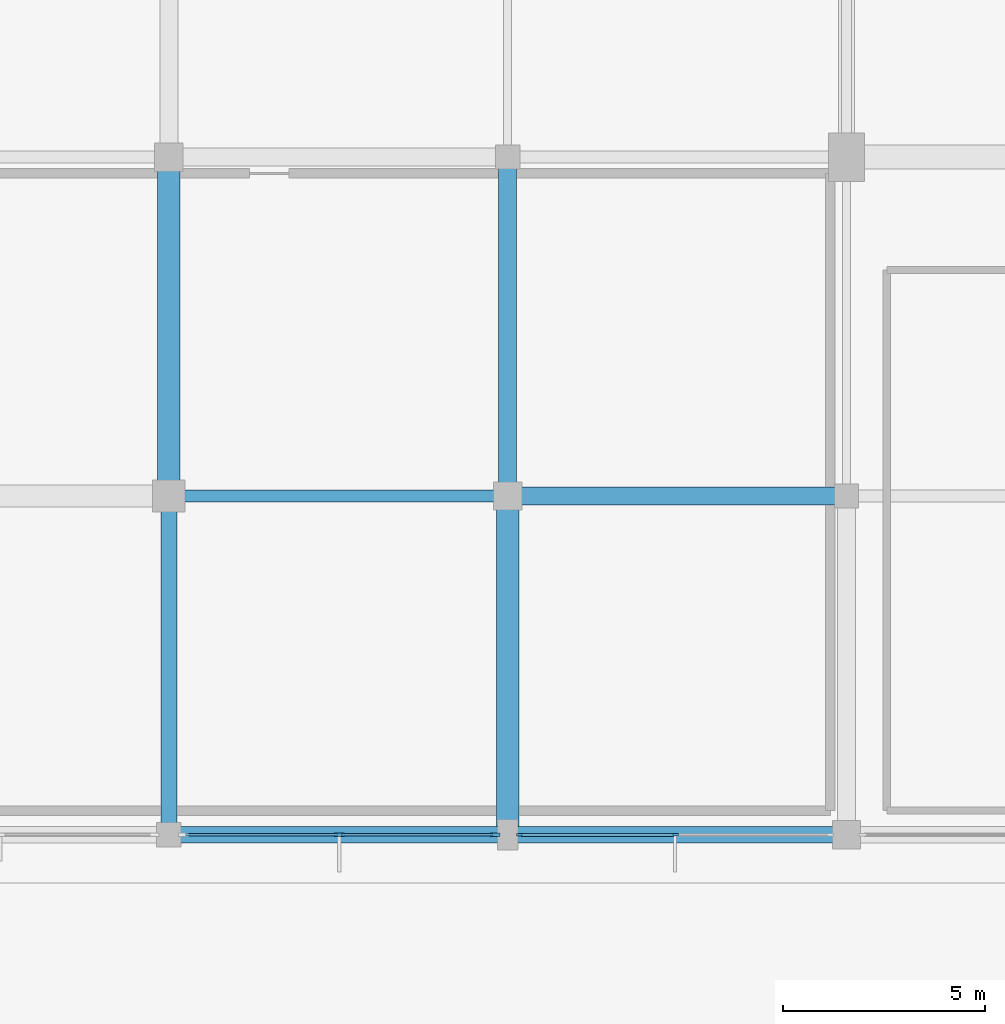
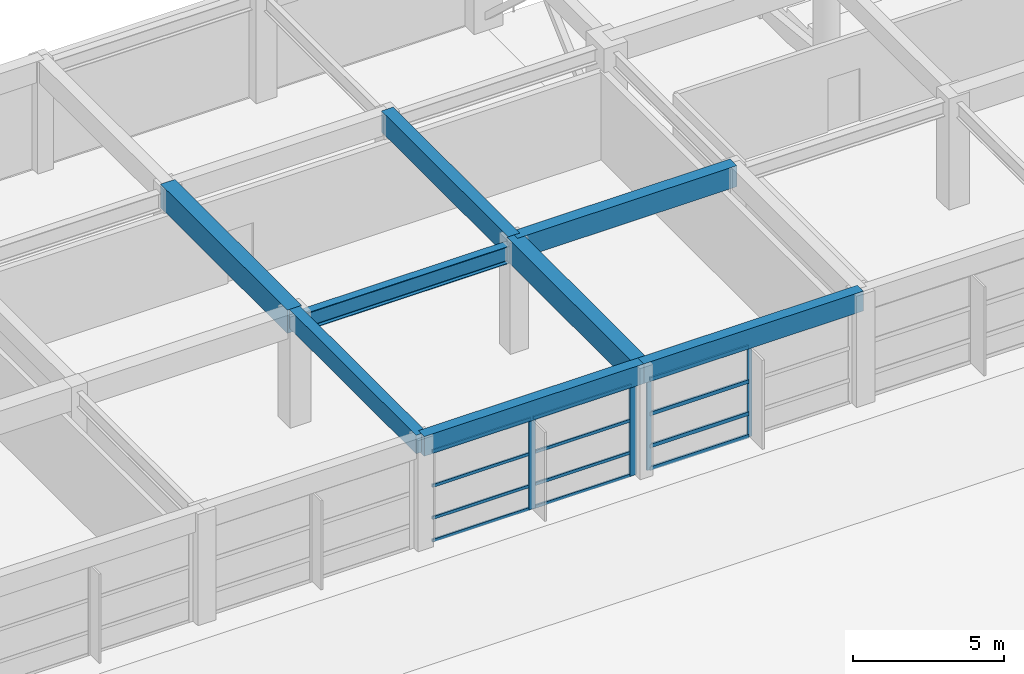
# One storey, part 10 of 60: 16 members, 8 beams, 2 elements without a shape of their own.
"""IFC4 building model written with IfcOpenShell, lengths in metres."""

from ifc_helpers import new_model, si_unit, direction, frame, origin, origin_2d, place, context, subcontext, project, spatial, rectangle, i_section, extrude, material, material_profile, profile_set, type_object, element, aggregate, save


model = new_model("IFC4")

# Units and contexts
model_context = context("Model", 3, precision=1e-05, world=origin(), true_north=direction((0.0, 1.0)))
body_context = subcontext(model_context, "Body", "Model", "MODEL_VIEW")
ifc_project = project(units=[si_unit("LENGTHUNIT", "METRE"), si_unit("AREAUNIT", "SQUARE_METRE"), si_unit("VOLUMEUNIT", "CUBIC_METRE"), si_unit("PLANEANGLEUNIT", "RADIAN"), si_unit("MASSUNIT", "GRAM", prefix="KILO")], contexts=[model_context])

# Site, building, storey
site_placement = place(None, origin())
site = spatial("IfcSite", under=ifc_project, at=site_placement, CompositionType="ELEMENT")
building_placement = place(site_placement, origin())
building = spatial("IfcBuilding", under=site, at=building_placement, Name="Xuanlan Plaza Opera House", CompositionType="ELEMENT")
storey_placement = place(building_placement, frame((0.0, 0.0, 9.89990234375)))
storey = spatial("IfcBuildingStorey", under=building, at=storey_placement, Name="L02", CompositionType="ELEMENT", Elevation=9.89990234375)

# Curtain wall, members
ifc_material_1 = material(Name="Anodised Aluminium 6063-T6 and Low-E Glass", Category="aluminium")
curtain_wall_type_1 = type_object("IfcCurtainWallType", Name="ENV-CW-CW-06", PredefinedType="USERDEFINED", material=ifc_material_1)
curtain_wall_1_placement = place(storey_placement, origin())
curtain_wall_1 = element("IfcCurtainWall", 1, at=curtain_wall_1_placement, inside=storey, type_object=curtain_wall_type_1, Name="Acoustic Glazed Wall L02-007", ObjectType="ACOUSTIC GLAZED WALL", PredefinedType="USERDEFINED")
ifc_material_2 = material(Name="Anodised Aluminium 6063-T6", Category="aluminium")
ifc_material_profile_1 = material_profile(ifc_material_2, rectangle(XDim=0.06494140625, YDim=0.159912109375, at=origin_2d()), Name="ALU-M 65x160")
ifc_profile_set_1 = profile_set([ifc_material_profile_1], Name="Anodised Aluminium 6063-T6")
member_type_1 = type_object("IfcMemberType", Name="ENV-CWM-01", PredefinedType="MULLION", material=ifc_profile_set_1)
member_1_placement = place(storey_placement, frame((59.1025390625, 16.800048828125, 0.0), z_axis=(0.0, 0.0, 1.0), x_axis=(0.0, 1.0, 0.0)))
member_1 = element("IfcMember", 2, at=member_1_placement, type_object=member_type_1, Name="CW-06 mullion 1", PredefinedType="MULLION", context=body_context, shape_type="SweptSolid", body=[
    extrude(rectangle(XDim=0.06494140625, YDim=0.159912109375, at=origin_2d()), origin(), (0.0, 0.0, 1.0), 3.68017578125),
])
member_2_placement = place(storey_placement, frame((62.949951171875, 16.800048828125, 0.0), z_axis=(0.0, 0.0, 1.0), x_axis=(0.0, 1.0, 0.0)))
member_2 = element("IfcMember", 3, at=member_2_placement, type_object=member_type_1, Name="CW-06 mullion 2", PredefinedType="MULLION", context=body_context, shape_type="SweptSolid", body=[
    extrude(rectangle(XDim=0.06494140625, YDim=0.159912109375, at=origin_2d()), origin(), (0.0, 0.0, 1.0), 3.68017578125),
])

curtain_wall_type_2 = type_object("IfcCurtainWallType", Name="ENV-CW-CW-02", PredefinedType="USERDEFINED", material=ifc_material_1)
curtain_wall_2_placement = place(storey_placement, origin())
curtain_wall_2 = element("IfcCurtainWall", 4, at=curtain_wall_2_placement, inside=storey, type_object=curtain_wall_type_2, Name="Unitised Curtain Wall L02-006", ObjectType="UNITISED CURTAIN WALL", PredefinedType="USERDEFINED")
ifc_material_profile_2 = material_profile(ifc_material_2, rectangle(XDim=0.090087890625, YDim=0.25, at=origin_2d()), Name="ALU-M 90x250")
ifc_profile_set_2 = profile_set([ifc_material_profile_2], Name="Anodised Aluminium 6063-T6")
member_type_2 = type_object("IfcMemberType", Name="ENV-CWM-05", PredefinedType="MULLION", material=ifc_profile_set_2)
member_3_placement = place(storey_placement, frame((54.625, 16.800048828125, 0.0), z_axis=(0.0, 0.0, 1.0), x_axis=(0.0, 1.0, 0.0)))
member_3 = element("IfcMember", 5, at=member_3_placement, type_object=member_type_2, Name="CW-02 mullion 2", PredefinedType="MULLION", context=body_context, shape_type="SweptSolid", body=[
    extrude(rectangle(XDim=0.090087890625, YDim=0.25, at=origin_2d()), origin(), (0.0, 0.0, 1.0), 3.68017578125),
])
member_4_placement = place(storey_placement, frame((58.485107421875, 16.800048828125, 0.0), z_axis=(0.0, 0.0, 1.0), x_axis=(0.0, 1.0, 0.0)))
member_4 = element("IfcMember", 6, at=member_4_placement, type_object=member_type_2, Name="CW-02 mullion 3", PredefinedType="MULLION", context=body_context, shape_type="SweptSolid", body=[
    extrude(rectangle(XDim=0.090087890625, YDim=0.25, at=origin_2d()), origin(), (0.0, 0.0, 1.0), 3.68017578125),
])
ifc_material_profile_3 = material_profile(ifc_material_2, rectangle(XDim=0.06494140625, YDim=0.1201171875, at=origin_2d()), Name="ALU-T 65x120")
ifc_profile_set_3 = profile_set([ifc_material_profile_3], Name="Anodised Aluminium 6063-T6")
member_type_3 = type_object("IfcMemberType", Name="ENV-CWT-01", PredefinedType="USERDEFINED", material=ifc_profile_set_3)
member_5_placement = place(storey_placement, frame((50.81005859375, 16.800048828125, 0.03271484375), z_axis=(1.0, 0.0, 0.0), x_axis=(0.0, 1.0, 0.0)))
member_5 = element("IfcMember", 7, at=member_5_placement, type_object=member_type_3, Name="CW-02 transom 1.1", ObjectType="TRANSOM", PredefinedType="USERDEFINED", context=body_context, shape_type="SweptSolid", body=[
    extrude(rectangle(XDim=0.06494140625, YDim=0.1201171875, at=origin_2d()), origin(), (0.0, 0.0, 1.0), 3.77001953125),
])
member_6_placement = place(storey_placement, frame((50.81005859375, 16.800048828125, 0.9501953125), z_axis=(1.0, 0.0, 0.0), x_axis=(0.0, 1.0, 0.0)))
member_6 = element("IfcMember", 8, at=member_6_placement, type_object=member_type_3, Name="CW-02 transom 1.2", ObjectType="TRANSOM", PredefinedType="USERDEFINED", context=body_context, shape_type="SweptSolid", body=[
    extrude(rectangle(XDim=0.06494140625, YDim=0.1201171875, at=origin_2d()), origin(), (0.0, 0.0, 1.0), 3.77001953125),
])
member_7_placement = place(storey_placement, frame((50.81005859375, 16.800048828125, 2.25), z_axis=(1.0, 0.0, 0.0), x_axis=(0.0, 1.0, 0.0)))
member_7 = element("IfcMember", 9, at=member_7_placement, type_object=member_type_3, Name="CW-02 transom 1.3", ObjectType="TRANSOM", PredefinedType="USERDEFINED", context=body_context, shape_type="SweptSolid", body=[
    extrude(rectangle(XDim=0.06494140625, YDim=0.1201171875, at=origin_2d()), origin(), (0.0, 0.0, 1.0), 3.77001953125),
])
member_8_placement = place(storey_placement, frame((50.81005859375, 16.800048828125, 3.647705078125), z_axis=(1.0, 0.0, 0.0), x_axis=(0.0, 1.0, 0.0)))
member_8 = element("IfcMember", 10, at=member_8_placement, type_object=member_type_3, Name="CW-02 transom 1.4", ObjectType="TRANSOM", PredefinedType="USERDEFINED", context=body_context, shape_type="SweptSolid", body=[
    extrude(rectangle(XDim=0.06494140625, YDim=0.1201171875, at=origin_2d()), origin(), (0.0, 0.0, 1.0), 3.77001953125),
])
member_9_placement = place(storey_placement, frame((54.669921875, 16.800048828125, 0.03271484375), z_axis=(1.0, 0.0, 0.0), x_axis=(0.0, 1.0, 0.0)))
member_9 = element("IfcMember", 11, at=member_9_placement, type_object=member_type_3, Name="CW-02 transom 2.1", ObjectType="TRANSOM", PredefinedType="USERDEFINED", context=body_context, shape_type="SweptSolid", body=[
    extrude(rectangle(XDim=0.06494140625, YDim=0.1201171875, at=origin_2d()), origin(), (0.0, 0.0, 1.0), 3.77001953125),
])
member_10_placement = place(storey_placement, frame((54.669921875, 16.800048828125, 0.9501953125), z_axis=(1.0, 0.0, 0.0), x_axis=(0.0, 1.0, 0.0)))
member_10 = element("IfcMember", 12, at=member_10_placement, type_object=member_type_3, Name="CW-02 transom 2.2", ObjectType="TRANSOM", PredefinedType="USERDEFINED", context=body_context, shape_type="SweptSolid", body=[
    extrude(rectangle(XDim=0.06494140625, YDim=0.1201171875, at=origin_2d()), origin(), (0.0, 0.0, 1.0), 3.77001953125),
])
member_11_placement = place(storey_placement, frame((54.669921875, 16.800048828125, 2.25), z_axis=(1.0, 0.0, 0.0), x_axis=(0.0, 1.0, 0.0)))
member_11 = element("IfcMember", 13, at=member_11_placement, type_object=member_type_3, Name="CW-02 transom 2.3", ObjectType="TRANSOM", PredefinedType="USERDEFINED", context=body_context, shape_type="SweptSolid", body=[
    extrude(rectangle(XDim=0.06494140625, YDim=0.1201171875, at=origin_2d()), origin(), (0.0, 0.0, 1.0), 3.77001953125),
])
member_12_placement = place(storey_placement, frame((54.669921875, 16.800048828125, 3.647705078125), z_axis=(1.0, 0.0, 0.0), x_axis=(0.0, 1.0, 0.0)))
member_12 = element("IfcMember", 14, at=member_12_placement, type_object=member_type_3, Name="CW-02 transom 2.4", ObjectType="TRANSOM", PredefinedType="USERDEFINED", context=body_context, shape_type="SweptSolid", body=[
    extrude(rectangle(XDim=0.06494140625, YDim=0.1201171875, at=origin_2d()), origin(), (0.0, 0.0, 1.0), 3.77001953125),
])
aggregate(curtain_wall_2, [member_3, member_4, member_5, member_6, member_7, member_8, member_9, member_10, member_11, member_12])

# Member
ifc_material_profile_4 = material_profile(ifc_material_2, rectangle(XDim=0.074951171875, YDim=0.14990234375, at=origin_2d()), Name="ALU-T 75x150")
ifc_profile_set_4 = profile_set([ifc_material_profile_4], Name="Anodised Aluminium 6063-T6")
member_type_4 = type_object("IfcMemberType", Name="ENV-CWT-03", PredefinedType="USERDEFINED", material=ifc_profile_set_4)
member_13_placement = place(storey_placement, frame((59.135009765625, 16.800048828125, 0.03759765625), z_axis=(1.0, 0.0, 0.0), x_axis=(0.0, 1.0, 0.0)))
member_13 = element("IfcMember", 15, at=member_13_placement, type_object=member_type_4, Name="CW-06 transom 1.1", ObjectType="TRANSOM", PredefinedType="USERDEFINED", context=body_context, shape_type="SweptSolid", body=[
    extrude(rectangle(XDim=0.074951171875, YDim=0.14990234375, at=origin_2d()), origin(), (0.0, 0.0, 1.0), 3.782470703125),
])

member_14_placement = place(storey_placement, frame((59.135009765625, 16.800048828125, 0.9501953125), z_axis=(1.0, 0.0, 0.0), x_axis=(0.0, 1.0, 0.0)))
member_14 = element("IfcMember", 16, at=member_14_placement, type_object=member_type_4, Name="CW-06 transom 1.2", ObjectType="TRANSOM", PredefinedType="USERDEFINED", context=body_context, shape_type="SweptSolid", body=[
    extrude(rectangle(XDim=0.074951171875, YDim=0.14990234375, at=origin_2d()), origin(), (0.0, 0.0, 1.0), 3.782470703125),
])

member_15_placement = place(storey_placement, frame((59.135009765625, 16.800048828125, 2.25), z_axis=(1.0, 0.0, 0.0), x_axis=(0.0, 1.0, 0.0)))
member_15 = element("IfcMember", 17, at=member_15_placement, type_object=member_type_4, Name="CW-06 transom 1.3", ObjectType="TRANSOM", PredefinedType="USERDEFINED", context=body_context, shape_type="SweptSolid", body=[
    extrude(rectangle(XDim=0.074951171875, YDim=0.14990234375, at=origin_2d()), origin(), (0.0, 0.0, 1.0), 3.782470703125),
])

member_16_placement = place(storey_placement, frame((59.135009765625, 16.800048828125, 3.642578125), z_axis=(1.0, 0.0, 0.0), x_axis=(0.0, 1.0, 0.0)))
member_16 = element("IfcMember", 18, at=member_16_placement, type_object=member_type_4, Name="CW-06 transom 1.4", ObjectType="TRANSOM", PredefinedType="USERDEFINED", context=body_context, shape_type="SweptSolid", body=[
    extrude(rectangle(XDim=0.074951171875, YDim=0.14990234375, at=origin_2d()), origin(), (0.0, 0.0, 1.0), 3.782470703125),
])

aggregate(curtain_wall_1, [member_1, member_2, member_13, member_14, member_15, member_16])

# Beams
ifc_material_3 = material(Name="Concrete C50", Category="concrete")
ifc_material_profile_5 = material_profile(ifc_material_3, rectangle(XDim=0.550048828125, YDim=0.949951171875, at=origin_2d()), Name="RC-BM 550x950")
ifc_profile_set_5 = profile_set([ifc_material_profile_5], Name="Concrete C50")
beam_type_1 = type_object("IfcBeamType", Name="STR-BM-B-02", PredefinedType="BEAM", material=ifc_profile_set_5)
beam_1_placement = place(storey_placement, frame((50.39990234375, 25.199951171875, 4.025146484375), z_axis=(0.0, 1.0, 0.0), x_axis=(-1.0, 0.0, 0.0)))
element("IfcBeam", 19, at=beam_1_placement, inside=storey, type_object=beam_type_1, Name="Grid Beam Y L02 7/D-E", PredefinedType="BEAM", context=body_context, shape_type="SweptSolid", body=[
    extrude(rectangle(XDim=0.550048828125, YDim=0.949951171875, at=origin_2d()), origin(), (0.0, 0.0, 1.0), 8.400146484375),
])
beam_2_placement = place(storey_placement, frame((58.800048828125, 16.800048828125, 4.025146484375), z_axis=(0.0, 1.0, 0.0), x_axis=(-1.0, 0.0, 0.0)))
element("IfcBeam", 20, at=beam_2_placement, inside=storey, type_object=beam_type_1, Name="Grid Beam Y L02 8/C-D", PredefinedType="BEAM", context=body_context, shape_type="SweptSolid", body=[
    extrude(rectangle(XDim=0.550048828125, YDim=0.949951171875, at=origin_2d()), origin(), (0.0, 0.0, 1.0), 8.39990234375),
])
ifc_material_4 = material(Name="Concrete C40", Category="concrete")
ifc_material_profile_6 = material_profile(ifc_material_4, rectangle(XDim=0.449951171875, YDim=0.85009765625, at=origin_2d()), Name="RC-BM 450x850")
ifc_profile_set_6 = profile_set([ifc_material_profile_6], Name="Concrete C40")
beam_type_2 = type_object("IfcBeamType", Name="STR-BM-B-04", PredefinedType="BEAM", material=ifc_profile_set_6)
beam_3_placement = place(storey_placement, frame((58.800048828125, 25.199951171875, 4.0751953125), z_axis=(1.0, 0.0, 0.0), x_axis=(0.0, 1.0, 0.0)))
element("IfcBeam", 21, at=beam_3_placement, inside=storey, type_object=beam_type_2, Name="Grid Beam X L02 8-9/D", PredefinedType="BEAM", context=body_context, shape_type="SweptSolid", body=[
    extrude(rectangle(XDim=0.449951171875, YDim=0.85009765625, at=origin_2d()), origin(), (0.0, 0.0, 1.0), 8.39990234375),
])
beam_4_placement = place(storey_placement, frame((58.800048828125, 25.199951171875, 4.0751953125), z_axis=(0.0, 1.0, 0.0), x_axis=(-1.0, 0.0, 0.0)))
element("IfcBeam", 22, at=beam_4_placement, inside=storey, type_object=beam_type_2, Name="Grid Beam Y L02 8/D-E", PredefinedType="BEAM", context=body_context, shape_type="SweptSolid", body=[
    extrude(rectangle(XDim=0.449951171875, YDim=0.85009765625, at=origin_2d()), origin(), (0.0, 0.0, 1.0), 8.400146484375),
])
ifc_material_profile_7 = material_profile(ifc_material_4, rectangle(XDim=0.39990234375, YDim=0.75, at=origin_2d()), Name="RC-BM 400x750")
ifc_profile_set_7 = profile_set([ifc_material_profile_7], Name="Concrete C40")
beam_type_3 = type_object("IfcBeamType", Name="STR-BM-B-06", PredefinedType="BEAM", material=ifc_profile_set_7)
beam_5_placement = place(storey_placement, frame((50.39990234375, 16.800048828125, 4.125), z_axis=(0.0, 1.0, 0.0), x_axis=(-1.0, 0.0, 0.0)))
element("IfcBeam", 23, at=beam_5_placement, inside=storey, type_object=beam_type_3, Name="Grid Beam Y L02 7/C-D", PredefinedType="BEAM", context=body_context, shape_type="SweptSolid", body=[
    extrude(rectangle(XDim=0.39990234375, YDim=0.75, at=origin_2d()), origin(), (0.0, 0.0, 1.0), 8.39990234375),
])
ifc_material_5 = material(Name="Steel Q355B", Category="steel")
ifc_material_profile_8 = material_profile(ifc_material_5, i_section(OverallWidth=0.300048828125, OverallDepth=0.699951171875, WebThickness=0.012939453125, FlangeThickness=0.02392578125, FilletRadius=0.02392578125, at=origin_2d()), Name="HN 700x300x13x24")
ifc_profile_set_8 = profile_set([ifc_material_profile_8], Name="Steel Q355B")
beam_type_4 = type_object("IfcBeamType", Name="STR-BM-SB-03", PredefinedType="BEAM", material=ifc_profile_set_8)
beam_6_placement = place(storey_placement, frame((50.39990234375, 25.199951171875, 3.885009765625), z_axis=(1.0, 0.0, 0.0), x_axis=(0.0, 1.0, 0.0)))
element("IfcBeam", 24, at=beam_6_placement, inside=storey, type_object=beam_type_4, Name="Grid Beam X L02 7-8/D", PredefinedType="BEAM", context=body_context, shape_type="SweptSolid", body=[
    extrude(i_section(OverallWidth=0.300048828125, OverallDepth=0.699951171875, WebThickness=0.012939453125, FlangeThickness=0.02392578125, FilletRadius=0.02392578125, at=origin_2d()), origin(), (0.0, 0.0, 1.0), 8.400146484375),
])
ifc_material_profile_9 = material_profile(ifc_material_4, rectangle(XDim=0.39990234375, YDim=0.800048828125, at=origin_2d()), Name="RC-SPD 400x800")
ifc_profile_set_9 = profile_set([ifc_material_profile_9], Name="Concrete C40")
beam_type_5 = type_object("IfcBeamType", Name="STR-BM-SP-01", PredefinedType="SPANDREL", material=ifc_profile_set_9)
beam_7_placement = place(storey_placement, frame((50.39990234375, 16.800048828125, 4.10009765625), z_axis=(1.0, 0.0, 0.0), x_axis=(0.0, 1.0, 0.0)))
element("IfcBeam", 25, at=beam_7_placement, inside=storey, type_object=beam_type_5, Name="Grid Beam X L02 7-8/C", PredefinedType="SPANDREL", context=body_context, shape_type="SweptSolid", body=[
    extrude(rectangle(XDim=0.39990234375, YDim=0.800048828125, at=origin_2d()), origin(), (0.0, 0.0, 1.0), 8.400146484375),
])
beam_8_placement = place(storey_placement, frame((58.800048828125, 16.800048828125, 4.10009765625), z_axis=(1.0, 0.0, 0.0), x_axis=(0.0, 1.0, 0.0)))
element("IfcBeam", 26, at=beam_8_placement, inside=storey, type_object=beam_type_5, Name="Grid Beam X L02 8-9/C", PredefinedType="SPANDREL", context=body_context, shape_type="SweptSolid", body=[
    extrude(rectangle(XDim=0.39990234375, YDim=0.800048828125, at=origin_2d()), origin(), (0.0, 0.0, 1.0), 8.39990234375),
])

save(model, "model.ifc")
